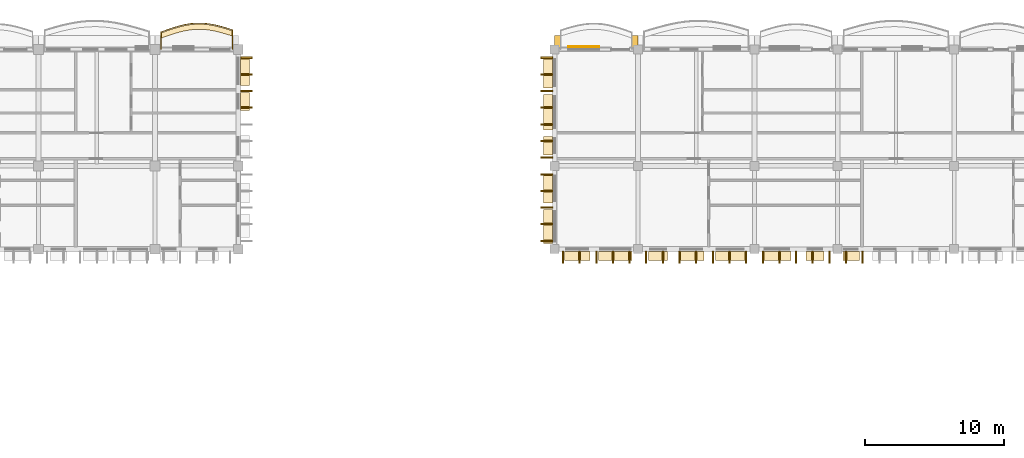
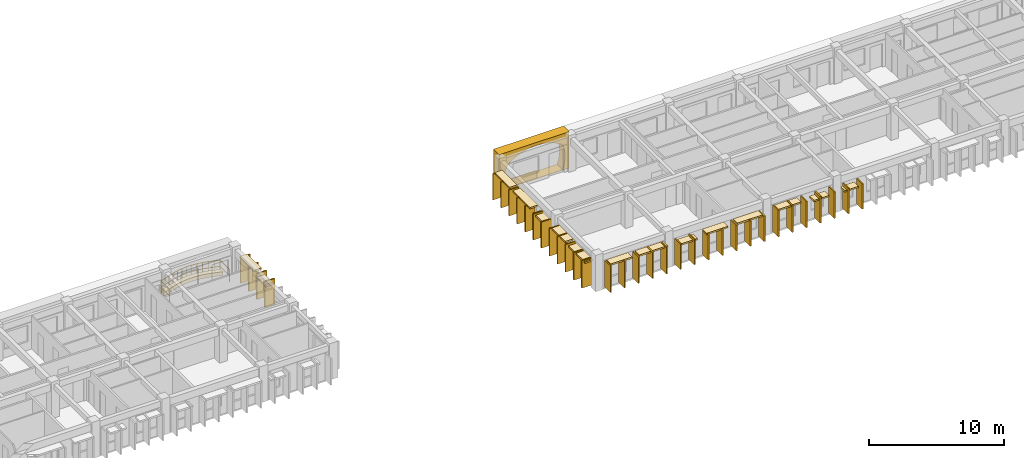
# One storey, part 54 of 70: 53 coverings, 1 railing.
"""IFC4 building model written with IfcOpenShell, lengths in metres."""

import ifcopenshell
import ifcopenshell.guid

model = None  # the IFC model being written
_history = None  # IfcOwnerHistory: only IFC2X3 demands one
_inside = {}  # id of a spatial element -> (the spatial element, [elements in it])
_under = {}  # id of a project, library or spatial element -> (it, [spatial elements below it])
_declared = {}  # id of a project -> (the project, [libraries it declares])
_typed = {}  # id of a type object -> (the type object, [elements of that type])
_made_of = {}  # id of a material, layer set ... -> (it, [elements and type objects made of it])


def new_model(schema):
    """Start an empty IFC model of exactly this schema.

    Asked for "IFC4X3", IfcOpenShell would pick the latest addendum, in which some entities
    have other attributes; the version numbers below select the first issue.
    IFC2X3 requires an IfcOwnerHistory on every rooted entity: one is made here for all.
    """
    global model, _history
    if schema == "IFC4X3":
        model = ifcopenshell.file(schema_version=(4, 3, 0, 0))
    else:
        model = ifcopenshell.file(schema=schema)
    _inside.clear()
    _under.clear()
    _declared.clear()
    _typed.clear()
    _made_of.clear()
    _history = None
    if model.schema == "IFC2X3":
        org = make("IfcOrganization", Name="unknown")
        user = make(
            "IfcPersonAndOrganization",
            ThePerson=make("IfcPerson", FamilyName="unknown"),
            TheOrganization=org,
        )
        app = make(
            "IfcApplication",
            ApplicationDeveloper=org,
            Version="unknown",
            ApplicationFullName="unknown",
            ApplicationIdentifier="unknown",
        )
        _history = make(
            "IfcOwnerHistory",
            OwningUser=user,
            OwningApplication=app,
            ChangeAction="ADDED",
            CreationDate=0,
        )
    return model


def make(cls, **values):
    """One entity of the class cls with the attributes given. An attribute that is None is left unset."""
    return model.create_entity(
        cls, **{name: value for name, value in values.items() if value is not None}
    )


def rooted(cls, **values):
    """An entity with a GlobalId (a new one), such as an element, a storey or a relation."""
    return make(cls, GlobalId=ifcopenshell.guid.new(), OwnerHistory=_history, **values)


def si_unit(unit_type, name, prefix=None):
    """IfcSIUnit, for example si_unit("LENGTHUNIT", "METRE", prefix="MILLI")."""
    return make("IfcSIUnit", UnitType=unit_type, Prefix=prefix, Name=name)


def assignment(units):
    """IfcUnitAssignment: the units of a project."""
    return None if units is None else make("IfcUnitAssignment", Units=units)


def point(xyz):
    """IfcCartesianPoint."""
    return None if xyz is None else make("IfcCartesianPoint", Coordinates=xyz)


def direction(xyz):
    """IfcDirection."""
    return None if xyz is None else make("IfcDirection", DirectionRatios=xyz)


def frame(location, z_axis=None, x_axis=None):
    """IfcAxis2Placement3D, a coordinate frame: its origin and axes. An axis left out is left unset."""
    return make(
        "IfcAxis2Placement3D",
        Location=point(location),
        Axis=direction(z_axis),
        RefDirection=direction(x_axis),
    )


def frame_2d(location, x_axis=None):
    """IfcAxis2Placement2D, a coordinate frame in the plane: its origin and x axis."""
    return make(
        "IfcAxis2Placement2D", Location=point(location), RefDirection=direction(x_axis)
    )


def origin():
    """The frame at (0, 0, 0) with its axes left unset."""
    return frame((0.0, 0.0, 0.0))


def origin_2d():
    """The frame at (0, 0) in the plane with its x axis left unset."""
    return frame_2d((0.0, 0.0))


def place(relative_to, where):
    """IfcLocalPlacement: puts the frame where relative to a parent placement (None: the world)."""
    return make(
        "IfcLocalPlacement", PlacementRelTo=relative_to, RelativePlacement=where
    )


def context(
    kind, dimensions, precision=None, world=None, true_north=None, identifier=None
):
    """IfcGeometricRepresentationContext, for example the 3D "Model" context."""
    return make(
        "IfcGeometricRepresentationContext",
        ContextIdentifier=identifier,
        ContextType=kind,
        CoordinateSpaceDimension=dimensions,
        Precision=precision,
        WorldCoordinateSystem=world,
        TrueNorth=true_north,
    )


def subcontext(parent, identifier, kind, view, scale=None):
    """IfcGeometricRepresentationSubContext, for example "Body" below "Model"."""
    return make(
        "IfcGeometricRepresentationSubContext",
        ContextIdentifier=identifier,
        ContextType=kind,
        ParentContext=parent,
        TargetScale=scale,
        TargetView=view,
    )


def project(units=None, contexts=None):
    """IfcProject with its units and contexts."""
    return rooted(
        "IfcProject",
        Name="project",
        RepresentationContexts=contexts,
        UnitsInContext=assignment(units),
    )


def spatial(cls, under=None, at=None, **own):
    """A site, building, storey or space (cls), placed at a placement, below another one or the project."""
    s = rooted(cls, ObjectPlacement=at, **own)
    if under is not None:
        _under.setdefault(under.id(), (under, []))[1].append(s)
    return s


def polyline(points):
    """IfcPolyline through the points."""
    return make("IfcPolyline", Points=[point(p) for p in points])


def profile(cls, at=None, kind="AREA", **sizes):
    """A parametric profile (cls). Its sizes go by their IFC names, for example OverallWidth=200.0."""
    return make(cls, ProfileType=kind, Position=at, **sizes)


def rectangle(**sizes):
    """IfcRectangleProfileDef."""
    return profile("IfcRectangleProfileDef", **sizes)


def outline(outer, holes=None, kind="AREA"):
    """IfcArbitraryClosedProfileDef: a profile drawn as a closed curve; with holes, ...WithVoids."""
    if holes is None:
        return make("IfcArbitraryClosedProfileDef", ProfileType=kind, OuterCurve=outer)
    return make(
        "IfcArbitraryProfileDefWithVoids",
        ProfileType=kind,
        OuterCurve=outer,
        InnerCurves=holes,
    )


def extrude(swept, where, along, depth):
    """IfcExtrudedAreaSolid: the profile swept, set in the frame where, extruded along a direction by depth."""
    return make(
        "IfcExtrudedAreaSolid",
        SweptArea=swept,
        Position=where,
        ExtrudedDirection=direction(along),
        Depth=depth,
    )


def shape(context_of_items, identifier, shape_type, items):
    """IfcShapeRepresentation: the items that make up one representation, for example the "Body"."""
    return make(
        "IfcShapeRepresentation",
        ContextOfItems=context_of_items,
        RepresentationIdentifier=identifier,
        RepresentationType=shape_type,
        Items=items,
    )


def material(Name=None, Category=None):
    """IfcMaterial."""
    return make("IfcMaterial", Name=Name, Category=Category)


def layer(
    of_material, thickness, ventilated=None, Name=None, Category=None, Priority=None
):
    """IfcMaterialLayer: one layer of a wall or slab, of a material (None: an air gap)."""
    return make(
        "IfcMaterialLayer",
        Material=of_material,
        LayerThickness=thickness,
        IsVentilated=ventilated,
        Name=Name,
        Category=Category,
        Priority=Priority,
    )


def layer_set(layers, Name=None):
    """IfcMaterialLayerSet."""
    return make("IfcMaterialLayerSet", MaterialLayers=layers, LayerSetName=Name)


def made_of(thing, what):
    """Note that an element or type object is made of a material, layer set ...; save() writes the relation."""
    if what is not None:
        _made_of.setdefault(what.id(), (what, []))[1].append(thing)
    return thing


def type_object(cls, material=None, **own):
    """A type object (cls), such as IfcWallType, which elements share."""
    return made_of(rooted(cls, **own), material)


def element(
    cls,
    number,
    at=None,
    inside=None,
    cuts=None,
    type_object=None,
    material=None,
    context=None,
    identifier="Body",
    shape_type=None,
    held_by="IfcProductDefinitionShape",
    body=None,
    shapes=None,
    **own,
):
    """One element of the class cls, such as IfcWall. Its Tag is "e" and its number.

    at: its placement. inside: the storey or other place that contains it. cuts: it is an
    opening in that element (IfcRelVoidsElement). A single representation is given by context,
    identifier, shape_type and body (its items); several are given by shapes. held_by: the class
    of the entity that holds the representations. save() writes the other relations.
    """
    e = rooted(cls, Tag="e%d" % number, ObjectPlacement=at, **own)
    if body is not None:
        shapes = [shape(context, identifier, shape_type, body)]
    if shapes is not None:
        e.Representation = make(held_by, Representations=shapes)
    if inside is not None:
        _inside.setdefault(inside.id(), (inside, []))[1].append(e)
    if cuts is not None:
        rooted(
            "IfcRelVoidsElement", RelatingBuildingElement=cuts, RelatedOpeningElement=e
        )
    if type_object is not None:
        _typed.setdefault(type_object.id(), (type_object, []))[1].append(e)
    return made_of(e, material)


def aggregate(whole, parts):
    """IfcRelAggregates: a whole, such as a stair, and the parts it consists of."""
    return rooted("IfcRelAggregates", RelatingObject=whole, RelatedObjects=parts)


def save(model, path):
    """Write the relations noted so far, then the file.

    IfcRelAggregates (storeys below a building ...), IfcRelContainedInSpatialStructure (elements
    in a storey), IfcRelDefinesByType, IfcRelAssociatesMaterial and IfcRelDeclares: one each for
    every whole, place, type object, material and project.
    """
    for whole, parts in _under.values():
        aggregate(whole, parts)
    for where, things in _inside.values():
        rooted(
            "IfcRelContainedInSpatialStructure",
            RelatedElements=things,
            RelatingStructure=where,
        )
    for kind, things in _typed.values():
        rooted("IfcRelDefinesByType", RelatedObjects=things, RelatingType=kind)
    for what, things in _made_of.values():
        rooted("IfcRelAssociatesMaterial", RelatedObjects=things, RelatingMaterial=what)
    for by, libraries in _declared.values():
        rooted("IfcRelDeclares", RelatingContext=by, RelatedDefinitions=libraries)
    model.write(path)


model = new_model("IFC4")

# Units and contexts
model_context = context("Model", 3, precision=1e-05, world=origin(), true_north=direction((0.0, 1.0)))
body_context = subcontext(model_context, "Body", "Model", "MODEL_VIEW")
ifc_project = project(units=[si_unit("LENGTHUNIT", "METRE"), si_unit("AREAUNIT", "SQUARE_METRE"), si_unit("VOLUMEUNIT", "CUBIC_METRE"), si_unit("PLANEANGLEUNIT", "RADIAN"), si_unit("MASSUNIT", "GRAM", prefix="KILO"), si_unit("THERMODYNAMICTEMPERATUREUNIT", "KELVIN")], contexts=[model_context])

# Site, building, storey
site_placement = place(None, origin())
site = spatial("IfcSite", under=ifc_project, at=site_placement, CompositionType="ELEMENT")
building_placement = place(site_placement, origin())
building = spatial("IfcBuilding", under=site, at=building_placement, Name="Thalorik Housing Commons", CompositionType="ELEMENT")
storey_placement = place(building_placement, frame((0.0, 0.0, 14.699951171875)))
storey = spatial("IfcBuildingStorey", under=building, at=storey_placement, Name="L04", CompositionType="ELEMENT", Elevation=14.699951171875)

# Coverings
ifc_material_1 = material(Name="Cobalt blue glazed ceramic facade tile panel", Category="masonry")
ifc_layer_1 = layer(ifc_material_1, 0.06005859375, Name="Cobalt blue glazed ceramic facade tile panel", Category="masonry")
ifc_layer_set_1 = layer_set([ifc_layer_1], Name="Cobalt blue glazed ceramic facade tile panel")
covering_type_1 = type_object("IfcCoveringType", Name="ARC-CLD-BLU-60", PredefinedType="CLADDING", material=ifc_layer_set_1)
covering_1_placement = place(storey_placement, frame((82.510009765625, 123.78759765625, 0.05029296875), z_axis=(0.0, 0.0, 1.0), x_axis=(-1.0, 0.0, 0.0)))
element("IfcCovering", 1, at=covering_1_placement, inside=storey, type_object=covering_type_1, Name="L04 De Stijl Recessed Window Spandrel 2033", PredefinedType="CLADDING", context=body_context, shape_type="SweptSolid", body=[
    extrude(rectangle(XDim=2.239990234375, YDim=0.06005859375, at=origin_2d()), origin(), (0.0, 0.0, 1.0), 0.699951171875),
])
ifc_material_2 = material(Name="Precast concrete C40/50", Category="concrete")
ifc_layer_2 = layer(ifc_material_2, 0.85009765625, Name="Precast concrete C40/50", Category="concrete")
ifc_layer_set_2 = layer_set([ifc_layer_2], Name="Precast concrete C40/50")
covering_type_2 = type_object("IfcCoveringType", Name="ARC-CLD-CUSH-850", PredefinedType="CLADDING", material=ifc_layer_set_2)
covering_2_placement = place(storey_placement, frame((83.39990234375, 124.177490234375, 0.0), z_axis=(0.0, 0.0, 1.0), x_axis=(-1.0, 0.0, 0.0)))
element("IfcCovering", 2, at=covering_2_placement, inside=storey, type_object=covering_type_2, Name="L04 White Precast Curved Cushion Bay Frame 2032", PredefinedType="CLADDING", context=body_context, shape_type="SweptSolid", body=[
    extrude(outline(polyline([(-3.0, 0.0), (3.0, 0.0), (3.0, 3.300048828125), (-3.0, 3.300048828125), (-3.0, 0.0)]), holes=[polyline([(2.06005859375, 0.02490234375), (2.332275390625, 0.410888671875), (2.49560546875, 0.796630859375), (2.550048828125, 1.1826171875), (2.49560546875, 1.568359375), (2.332275390625, 1.9541015625), (2.06005859375, 2.340087890625), (1.685791015625, 2.552978515625), (1.311767578125, 2.720458984375), (0.9375, 2.85595703125), (0.563232421875, 2.956787109375), (0.189208984375, 3.01904296875), (-0.18505859375, 3.0400390625), (-0.55908203125, 3.01904296875), (-0.933349609375, 2.956787109375), (-1.3076171875, 2.85595703125), (-1.681640625, 2.720458984375), (-2.055908203125, 2.552978515625), (-2.429931640625, 2.340087890625), (-2.55029296875, 1.9541015625), (-2.62255859375, 1.568359375), (-2.646484375, 1.1826171875), (-2.62255859375, 0.796630859375), (-2.55029296875, 0.410888671875), (-2.429931640625, 0.02490234375), (2.06005859375, 0.02490234375)])]), frame((0.0, 0.425048828125, 0.0), z_axis=(0.0, -1.0, 0.0), x_axis=(1.0, 0.0, 0.0)), (0.0, 0.0, 1.0), 0.85009765625),
])
ifc_layer_3 = layer(ifc_material_2, 0.85009765625, Name="Precast concrete C40/50", Category="concrete")
ifc_layer_set_3 = layer_set([ifc_layer_3], Name="Precast concrete C40/50")
covering_type_3 = type_object("IfcCoveringType", Name="ARC-CLD-FIN-850", PredefinedType="CLADDING", material=ifc_layer_set_3)
for number, where, z_axis, x_axis, name in (
    (3, (58.18505859375, 119.39990234375, 0.0400390625), (0.0, 0.0, 1.0), (0.0, 1.0, 0.0), "L04 Courtyard Precast Vertical Brise-Soleil Fin 421"),
    (4, (58.18505859375, 120.60009765625, 0.0400390625), (0.0, 0.0, 1.0), (0.0, 1.0, 0.0), "L04 Courtyard Precast Vertical Brise-Soleil Fin 422"),
    (5, (58.18505859375, 121.800048828125, 0.0400390625), (0.0, 0.0, 1.0), (0.0, 1.0, 0.0), "L04 Courtyard Precast Vertical Brise-Soleil Fin 423"),
    (6, (58.18505859375, 123.0, 0.0400390625), (0.0, 0.0, 1.0), (0.0, 1.0, 0.0), "L04 Courtyard Precast Vertical Brise-Soleil Fin 424"),
    (7, (79.822509765625, 123.0, 0.0400390625), (0.0, 0.0, 1.0), (0.0, -1.0, 0.0), "L04 Courtyard Precast Vertical Brise-Soleil Fin 2034"),
    (8, (79.822509765625, 121.800048828125, 0.0400390625), (0.0, 0.0, 1.0), (0.0, -1.0, 0.0), "L04 Courtyard Precast Vertical Brise-Soleil Fin 2035"),
    (9, (79.822509765625, 120.60009765625, 0.0400390625), (0.0, 0.0, 1.0), (0.0, -1.0, 0.0), "L04 Courtyard Precast Vertical Brise-Soleil Fin 2036"),
    (10, (79.822509765625, 119.39990234375, 0.0400390625), (0.0, 0.0, 1.0), (0.0, -1.0, 0.0), "L04 Courtyard Precast Vertical Brise-Soleil Fin 2037"),
    (11, (79.822509765625, 118.199951171875, 0.0400390625), (0.0, 0.0, 1.0), (0.0, -1.0, 0.0), "L04 Courtyard Precast Vertical Brise-Soleil Fin 2038"),
    (12, (79.822509765625, 117.0, 0.0400390625), (0.0, 0.0, 1.0), (0.0, -1.0, 0.0), "L04 Courtyard Precast Vertical Brise-Soleil Fin 2039"),
    (13, (79.822509765625, 115.800048828125, 0.0400390625), (0.0, 0.0, 1.0), (0.0, -1.0, 0.0), "L04 Courtyard Precast Vertical Brise-Soleil Fin 2040"),
):
    element("IfcCovering", number, at=place(storey_placement, frame(where, z_axis=z_axis, x_axis=x_axis)), inside=storey, type_object=covering_type_3, Name=name, PredefinedType="CLADDING", context=body_context, shape_type="SweptSolid", body=[
        extrude(rectangle(XDim=0.110107421875, YDim=0.85009765625, at=origin_2d()), origin(), (0.0, 0.0, 1.0), 2.344970703125),
    ])
for number, where, z_axis, x_axis, name in (
    (14, (79.822509765625, 114.60009765625, 0.0400390625), (0.0, 0.0, 1.0), (0.0, -1.0, 0.0), "L04 Courtyard Precast Vertical Brise-Soleil Fin 2044"),
    (15, (79.822509765625, 113.39990234375, 0.0400390625), (0.0, 0.0, 1.0), (0.0, -1.0, 0.0), "L04 Courtyard Precast Vertical Brise-Soleil Fin 2045"),
    (16, (79.822509765625, 112.199951171875, 0.0400390625), (0.0, 0.0, 1.0), (0.0, -1.0, 0.0), "L04 Courtyard Precast Vertical Brise-Soleil Fin 2046"),
    (17, (79.822509765625, 111.0, 0.0400390625), (0.0, 0.0, 1.0), (0.0, -1.0, 0.0), "L04 Courtyard Precast Vertical Brise-Soleil Fin 2047"),
    (18, (79.822509765625, 109.800048828125, 0.0400390625), (0.0, 0.0, 1.0), (0.0, -1.0, 0.0), "L04 Courtyard Precast Vertical Brise-Soleil Fin 2048"),
):
    element("IfcCovering", number, at=place(storey_placement, frame(where, z_axis=z_axis, x_axis=x_axis)), inside=storey, type_object=covering_type_3, Name=name, PredefinedType="CLADDING", context=body_context, shape_type="SweptSolid", body=[
        extrude(rectangle(XDim=0.110107421875, YDim=0.85009765625, at=origin_2d()), origin(), (0.0, 0.0, 1.0), 2.4951171875),
    ])
for number, where, z_axis, x_axis, name in (
    (19, (81.0, 108.62255859375, 0.0400390625), (0.0, 0.0, 1.0), (1.0, 0.0, 0.0), "L04 Courtyard Precast Vertical Brise-Soleil Fin 2051"),
    (20, (82.199951171875, 108.62255859375, 0.0400390625), (0.0, 0.0, 1.0), (1.0, 0.0, 0.0), "L04 Courtyard Precast Vertical Brise-Soleil Fin 2052"),
    (21, (83.39990234375, 108.62255859375, 0.0400390625), (0.0, 0.0, 1.0), (1.0, 0.0, 0.0), "L04 Courtyard Precast Vertical Brise-Soleil Fin 2053"),
    (22, (84.60009765625, 108.62255859375, 0.0400390625), (0.0, 0.0, 1.0), (1.0, 0.0, 0.0), "L04 Courtyard Precast Vertical Brise-Soleil Fin 2054"),
    (23, (85.800048828125, 108.62255859375, 0.0400390625), (0.0, 0.0, 1.0), (1.0, 0.0, 0.0), "L04 Courtyard Precast Vertical Brise-Soleil Fin 2055"),
):
    element("IfcCovering", number, at=place(storey_placement, frame(where, z_axis=z_axis, x_axis=x_axis)), inside=storey, type_object=covering_type_3, Name=name, PredefinedType="CLADDING", context=body_context, shape_type="SweptSolid", body=[
        extrude(rectangle(XDim=0.110107421875, YDim=0.85009765625, at=origin_2d()), origin(), (0.0, 0.0, 1.0), 2.39501953125),
    ])
for number, where, z_axis, x_axis, name in (
    (24, (87.0, 108.62255859375, 0.0400390625), (0.0, 0.0, 1.0), (1.0, 0.0, 0.0), "L04 Courtyard Precast Vertical Brise-Soleil Fin 2058"),
    (25, (88.199951171875, 108.62255859375, 0.0400390625), (0.0, 0.0, 1.0), (1.0, 0.0, 0.0), "L04 Courtyard Precast Vertical Brise-Soleil Fin 2059"),
    (26, (89.39990234375, 108.62255859375, 0.0400390625), (0.0, 0.0, 1.0), (1.0, 0.0, 0.0), "L04 Courtyard Precast Vertical Brise-Soleil Fin 2060"),
    (27, (90.60009765625, 108.62255859375, 0.0400390625), (0.0, 0.0, 1.0), (1.0, 0.0, 0.0), "L04 Courtyard Precast Vertical Brise-Soleil Fin 2061"),
    (28, (91.800048828125, 108.62255859375, 0.0400390625), (0.0, 0.0, 1.0), (1.0, 0.0, 0.0), "L04 Courtyard Precast Vertical Brise-Soleil Fin 2062"),
    (29, (93.0, 108.62255859375, 0.0400390625), (0.0, 0.0, 1.0), (1.0, 0.0, 0.0), "L04 Courtyard Precast Vertical Brise-Soleil Fin 2063"),
    (30, (94.199951171875, 108.62255859375, 0.0400390625), (0.0, 0.0, 1.0), (1.0, 0.0, 0.0), "L04 Courtyard Precast Vertical Brise-Soleil Fin 2064"),
):
    element("IfcCovering", number, at=place(storey_placement, frame(where, z_axis=z_axis, x_axis=x_axis)), inside=storey, type_object=covering_type_3, Name=name, PredefinedType="CLADDING", context=body_context, shape_type="SweptSolid", body=[
        extrude(rectangle(XDim=0.110107421875, YDim=0.85009765625, at=origin_2d()), origin(), (0.0, 0.0, 1.0), 2.294921875),
    ])
for number, where, z_axis, x_axis, name in (
    (31, (95.39990234375, 108.62255859375, 0.0400390625), (0.0, 0.0, 1.0), (1.0, 0.0, 0.0), "L04 Courtyard Precast Vertical Brise-Soleil Fin 2068"),
    (32, (96.60009765625, 108.62255859375, 0.0400390625), (0.0, 0.0, 1.0), (1.0, 0.0, 0.0), "L04 Courtyard Precast Vertical Brise-Soleil Fin 2069"),
    (33, (97.800048828125, 108.62255859375, 0.0400390625), (0.0, 0.0, 1.0), (1.0, 0.0, 0.0), "L04 Courtyard Precast Vertical Brise-Soleil Fin 2070"),
    (34, (99.0, 108.62255859375, 0.0400390625), (0.0, 0.0, 1.0), (1.0, 0.0, 0.0), "L04 Courtyard Precast Vertical Brise-Soleil Fin 2071"),
    (35, (100.199951171875, 108.62255859375, 0.0400390625), (0.0, 0.0, 1.0), (1.0, 0.0, 0.0), "L04 Courtyard Precast Vertical Brise-Soleil Fin 2072"),
):
    element("IfcCovering", number, at=place(storey_placement, frame(where, z_axis=z_axis, x_axis=x_axis)), inside=storey, type_object=covering_type_3, Name=name, PredefinedType="CLADDING", context=body_context, shape_type="SweptSolid", body=[
        extrude(rectangle(XDim=0.110107421875, YDim=0.85009765625, at=origin_2d()), origin(), (0.0, 0.0, 1.0), 2.39501953125),
    ])
for number, where, z_axis, x_axis, name in (
    (36, (101.39990234375, 108.62255859375, 0.0400390625), (0.0, 0.0, 1.0), (1.0, 0.0, 0.0), "L04 Courtyard Precast Vertical Brise-Soleil Fin 2075"),
    (37, (102.60009765625, 108.62255859375, 0.0400390625), (0.0, 0.0, 1.0), (1.0, 0.0, 0.0), "L04 Courtyard Precast Vertical Brise-Soleil Fin 2076"),
):
    element("IfcCovering", number, at=place(storey_placement, frame(where, z_axis=z_axis, x_axis=x_axis)), inside=storey, type_object=covering_type_3, Name=name, PredefinedType="CLADDING", context=body_context, shape_type="SweptSolid", body=[
        extrude(rectangle(XDim=0.110107421875, YDim=0.85009765625, at=origin_2d()), origin(), (0.0, 0.0, 1.0), 2.294921875),
    ])
ifc_layer_4 = layer(ifc_material_2, 0.64990234375, Name="Precast concrete C40/50", Category="concrete")
ifc_layer_set_4 = layer_set([ifc_layer_4], Name="Precast concrete C40/50")
covering_type_4 = type_object("IfcCoveringType", Name="ARC-CLD-HOOD-650", PredefinedType="CLADDING", material=ifc_layer_set_4)
covering_3_placement = place(storey_placement, frame((58.0849609375, 119.8447265625, 1.990234375), z_axis=(0.0, 0.0, 1.0), x_axis=(0.0, 1.0, 0.0)))
element("IfcCovering", 38, at=covering_3_placement, inside=storey, type_object=covering_type_4, Name="L04 Courtyard Precast Window Sun-Hood 426", PredefinedType="CLADDING", context=body_context, shape_type="SweptSolid", body=[
    extrude(rectangle(XDim=1.2900390625, YDim=0.64990234375, at=origin_2d()), origin(), (0.0, 0.0, 1.0), 0.139892578125),
])
covering_4_placement = place(storey_placement, frame((58.0849609375, 122.044677734375, 2.27490234375), z_axis=(0.0, 0.0, 1.0), x_axis=(0.0, 1.0, 0.0)))
element("IfcCovering", 39, at=covering_4_placement, inside=storey, type_object=covering_type_4, Name="L04 Courtyard Precast Window Sun-Hood 427", PredefinedType="CLADDING", context=body_context, shape_type="SweptSolid", body=[
    extrude(rectangle(XDim=2.1201171875, YDim=0.64990234375, at=origin_2d()), origin(), (0.0, 0.0, 1.0), 0.139892578125),
])
covering_5_placement = place(storey_placement, frame((79.922607421875, 121.91748046875, 2.27490234375), z_axis=(0.0, 0.0, 1.0), x_axis=(0.0, -1.0, 0.0)))
element("IfcCovering", 40, at=covering_5_placement, inside=storey, type_object=covering_type_4, Name="L04 Courtyard Precast Window Sun-Hood 2041", PredefinedType="CLADDING", context=body_context, shape_type="SweptSolid", body=[
    extrude(rectangle(XDim=2.219970703125, YDim=0.64990234375, at=origin_2d()), origin(), (0.0, 0.0, 1.0), 0.139892578125),
])
covering_6_placement = place(storey_placement, frame((79.922607421875, 119.072509765625, 2.27490234375), z_axis=(0.0, 0.0, 1.0), x_axis=(0.0, -1.0, 0.0)))
element("IfcCovering", 41, at=covering_6_placement, inside=storey, type_object=covering_type_4, Name="L04 Courtyard Precast Window Sun-Hood 2042", PredefinedType="CLADDING", context=body_context, shape_type="SweptSolid", body=[
    extrude(rectangle(XDim=2.56005859375, YDim=0.64990234375, at=origin_2d()), origin(), (0.0, 0.0, 1.0), 0.139892578125),
])
covering_7_placement = place(storey_placement, frame((79.922607421875, 116.64990234375, 2.09033203125), z_axis=(0.0, 0.0, 1.0), x_axis=(0.0, -1.0, 0.0)))
element("IfcCovering", 42, at=covering_7_placement, inside=storey, type_object=covering_type_4, Name="L04 Courtyard Precast Window Sun-Hood 2043", PredefinedType="CLADDING", context=body_context, shape_type="SweptSolid", body=[
    extrude(rectangle(XDim=1.340087890625, YDim=0.64990234375, at=origin_2d()), origin(), (0.0, 0.0, 1.0), 0.139892578125),
])
covering_8_placement = place(storey_placement, frame((79.922607421875, 113.570068359375, 2.39013671875), z_axis=(0.0, 0.0, 1.0), x_axis=(0.0, -1.0, 0.0)))
element("IfcCovering", 43, at=covering_8_placement, inside=storey, type_object=covering_type_4, Name="L04 Courtyard Precast Window Sun-Hood 2049", PredefinedType="CLADDING", context=body_context, shape_type="SweptSolid", body=[
    extrude(rectangle(XDim=2.090087890625, YDim=0.64990234375, at=origin_2d()), origin(), (0.0, 0.0, 1.0), 0.139892578125),
])
covering_9_placement = place(storey_placement, frame((79.922607421875, 110.830078125, 2.2900390625), z_axis=(0.0, 0.0, 1.0), x_axis=(0.0, -1.0, 0.0)))
element("IfcCovering", 44, at=covering_9_placement, inside=storey, type_object=covering_type_4, Name="L04 Courtyard Precast Window Sun-Hood 2050", PredefinedType="CLADDING", context=body_context, shape_type="SweptSolid", body=[
    extrude(rectangle(XDim=2.43994140625, YDim=0.64990234375, at=origin_2d()), origin(), (0.0, 0.0, 1.0), 0.139892578125),
])
covering_10_placement = place(storey_placement, frame((82.030029296875, 108.722412109375, 2.3251953125), z_axis=(0.0, 0.0, 1.0), x_axis=(1.0, 0.0, 0.0)))
element("IfcCovering", 45, at=covering_10_placement, inside=storey, type_object=covering_type_4, Name="L04 Courtyard Precast Window Sun-Hood 2056", PredefinedType="CLADDING", context=body_context, shape_type="SweptSolid", body=[
    extrude(rectangle(XDim=1.840087890625, YDim=0.64990234375, at=origin_2d()), origin(), (0.0, 0.0, 1.0), 0.139892578125),
])
covering_11_placement = place(storey_placement, frame((84.77001953125, 108.722412109375, 2.2900390625), z_axis=(0.0, 0.0, 1.0), x_axis=(1.0, 0.0, 0.0)))
element("IfcCovering", 46, at=covering_11_placement, inside=storey, type_object=covering_type_4, Name="L04 Courtyard Precast Window Sun-Hood 2057", PredefinedType="CLADDING", context=body_context, shape_type="SweptSolid", body=[
    extrude(rectangle(XDim=2.43994140625, YDim=0.64990234375, at=origin_2d()), origin(), (0.0, 0.0, 1.0), 0.139892578125),
])
covering_12_placement = place(storey_placement, frame((87.8525390625, 108.722412109375, 2.0400390625), z_axis=(0.0, 0.0, 1.0), x_axis=(1.0, 0.0, 0.0)))
element("IfcCovering", 47, at=covering_12_placement, inside=storey, type_object=covering_type_4, Name="L04 Courtyard Precast Window Sun-Hood 2065", PredefinedType="CLADDING", context=body_context, shape_type="SweptSolid", body=[
    extrude(rectangle(XDim=1.389892578125, YDim=0.64990234375, at=origin_2d()), origin(), (0.0, 0.0, 1.0), 0.139892578125),
])
covering_13_placement = place(storey_placement, frame((90.237548828125, 108.722412109375, 2.22509765625), z_axis=(0.0, 0.0, 1.0), x_axis=(1.0, 0.0, 0.0)))
element("IfcCovering", 48, at=covering_13_placement, inside=storey, type_object=covering_type_4, Name="L04 Courtyard Precast Window Sun-Hood 2066", PredefinedType="CLADDING", context=body_context, shape_type="SweptSolid", body=[
    extrude(rectangle(XDim=1.820068359375, YDim=0.64990234375, at=origin_2d()), origin(), (0.0, 0.0, 1.0), 0.139892578125),
])
covering_14_placement = place(storey_placement, frame((93.054931640625, 108.722412109375, 2.22509765625), z_axis=(0.0, 0.0, 1.0), x_axis=(1.0, 0.0, 0.0)))
element("IfcCovering", 49, at=covering_14_placement, inside=storey, type_object=covering_type_4, Name="L04 Courtyard Precast Window Sun-Hood 2067", PredefinedType="CLADDING", context=body_context, shape_type="SweptSolid", body=[
    extrude(rectangle(XDim=2.159912109375, YDim=0.64990234375, at=origin_2d()), origin(), (0.0, 0.0, 1.0), 0.139892578125),
])
covering_15_placement = place(storey_placement, frame((96.429931640625, 108.722412109375, 2.240234375), z_axis=(0.0, 0.0, 1.0), x_axis=(1.0, 0.0, 0.0)))
element("IfcCovering", 50, at=covering_15_placement, inside=storey, type_object=covering_type_4, Name="L04 Courtyard Precast Window Sun-Hood 2073", PredefinedType="CLADDING", context=body_context, shape_type="SweptSolid", body=[
    extrude(rectangle(XDim=1.989990234375, YDim=0.64990234375, at=origin_2d()), origin(), (0.0, 0.0, 1.0), 0.139892578125),
])
covering_16_placement = place(storey_placement, frame((99.169921875, 108.722412109375, 1.990234375), z_axis=(0.0, 0.0, 1.0), x_axis=(1.0, 0.0, 0.0)))
element("IfcCovering", 51, at=covering_16_placement, inside=storey, type_object=covering_type_4, Name="L04 Courtyard Precast Window Sun-Hood 2074", PredefinedType="CLADDING", context=body_context, shape_type="SweptSolid", body=[
    extrude(rectangle(XDim=1.2900390625, YDim=0.64990234375, at=origin_2d()), origin(), (0.0, 0.0, 1.0), 0.139892578125),
])
covering_17_placement = place(storey_placement, frame((101.764892578125, 108.722412109375, 1.93994140625), z_axis=(0.0, 0.0, 1.0), x_axis=(1.0, 0.0, 0.0)))
element("IfcCovering", 52, at=covering_17_placement, inside=storey, type_object=covering_type_4, Name="L04 Courtyard Precast Window Sun-Hood 2082", PredefinedType="CLADDING", context=body_context, shape_type="SweptSolid", body=[
    extrude(rectangle(XDim=1.18994140625, YDim=0.64990234375, at=origin_2d()), origin(), (0.0, 0.0, 1.0), 0.139892578125),
])
ifc_material_3 = material(Name="Planted vegetated substrate and terracotta trough", Category="masonry")
ifc_layer_5 = layer(ifc_material_3, 0.340087890625, Name="Planted vegetated substrate and terracotta trough", Category="masonry")
ifc_layer_set_5 = layer_set([ifc_layer_5], Name="Planted vegetated substrate and terracotta trough")
covering_type_5 = type_object("IfcCoveringType", Name="ARC-COV-PLANTER", PredefinedType="USERDEFINED", material=ifc_layer_set_5)
covering_18_placement = place(storey_placement, origin())
element("IfcCovering", 53, at=covering_18_placement, inside=storey, type_object=covering_type_5, Name="L04 Balcony Slab-Edge Planted Trough 5341", ObjectType="PLANTER", PredefinedType="USERDEFINED", context=body_context, shape_type="SweptSolid", body=[
    extrude(outline(polyline([(57.179931640625, 124.938720703125), (56.75, 125.075439453125), (56.320068359375, 125.20068359375), (55.889892578125, 125.305419921875), (55.4599609375, 125.381591796875), (55.030029296875, 125.423095703125), (54.60009765625, 125.427001953125), (54.169921875, 125.391845703125), (53.739990234375, 125.31982421875), (53.31005859375, 125.2158203125), (52.8798828125, 125.086181640625), (52.449951171875, 124.939697265625), (52.02001953125, 124.786865234375), (52.02001953125, 124.40673828125), (52.449951171875, 124.559814453125), (52.8798828125, 124.7060546875), (53.31005859375, 124.835693359375), (53.739990234375, 124.93994140625), (54.169921875, 125.01171875), (54.60009765625, 125.046875), (55.030029296875, 125.043212890625), (55.4599609375, 125.001708984375), (55.889892578125, 124.925537109375), (56.320068359375, 124.82080078125), (56.75, 124.695556640625), (57.179931640625, 124.55859375), (57.179931640625, 124.938720703125)])), origin(), (0.0, 0.0, 1.0), 0.340087890625),
])

# Railing
ifc_material_4 = material(Name="Steel S355", Category="steel")
railing_type = type_object("IfcRailingType", Name="ARC-RL-BAL-115", PredefinedType="BALUSTRADE", material=ifc_material_4)
railing_placement = place(storey_placement, frame((57.179931640625, 123.60009765625, 0.0)))
element("IfcRailing", 54, at=railing_placement, inside=storey, type_object=railing_type, Name="L04 Cushion Balcony Guardrail 25", PredefinedType="BALUSTRADE", context=body_context, shape_type="SweptSolid", body=[
    extrude(rectangle(XDim=0.050048828125, YDim=0.050048828125, at=origin_2d()), frame((0.0, 0.0, 1.125), z_axis=(0.0, 1.0, 0.0), x_axis=(-1.0, 0.0, 0.0)), (0.0, 0.0, 1.0), 1.40869140625),
    extrude(rectangle(XDim=0.050048828125, YDim=0.050048828125, at=origin_2d()), frame((0.0, 0.0, 0.5498046875), z_axis=(0.0, 1.0, 0.0), x_axis=(-1.0, 0.0, 0.0)), (0.0, 0.0, 1.0), 1.40869140625),
    extrude(rectangle(XDim=0.050048828125, YDim=0.050048828125, at=origin_2d()), frame((0.0, 1.40869140625, 1.125), z_axis=(-0.952975516976, 0.30304729671, 0.0), x_axis=(-0.30304729671, -0.952975516976, 0.0)), (0.0, 0.0, 1.0), 0.451171875),
    extrude(rectangle(XDim=0.050048828125, YDim=0.050048828125, at=origin_2d()), frame((0.0, 1.40869140625, 0.5498046875), z_axis=(-0.952975516976, 0.30304729671, 0.0), x_axis=(-0.30304729671, -0.952975516976, 0.0)), (0.0, 0.0, 1.0), 0.451171875),
    extrude(rectangle(XDim=0.050048828125, YDim=0.050048828125, at=origin_2d()), frame((-0.429931640625, 1.54541015625, 1.125), z_axis=(-0.960091541697, 0.27968595167, 0.0), x_axis=(-0.27968595167, -0.960091541697, 0.0)), (0.0, 0.0, 1.0), 0.44775390625),
    extrude(rectangle(XDim=0.050048828125, YDim=0.050048828125, at=origin_2d()), frame((-0.429931640625, 1.54541015625, 0.5498046875), z_axis=(-0.960091541697, 0.27968595167, 0.0), x_axis=(-0.27968595167, -0.960091541697, 0.0)), (0.0, 0.0, 1.0), 0.44775390625),
    extrude(rectangle(XDim=0.050048828125, YDim=0.050048828125, at=origin_2d()), frame((-0.85986328125, 1.670654296875, 1.125), z_axis=(-0.971616240385, 0.236562637415, 0.0), x_axis=(-0.236562637415, -0.971616240385, 0.0)), (0.0, 0.0, 1.0), 0.442626953125),
    extrude(rectangle(XDim=0.050048828125, YDim=0.050048828125, at=origin_2d()), frame((-0.85986328125, 1.670654296875, 0.5498046875), z_axis=(-0.971616240385, 0.236562637415, 0.0), x_axis=(-0.236562637415, -0.971616240385, 0.0)), (0.0, 0.0, 1.0), 0.442626953125),
    extrude(rectangle(XDim=0.050048828125, YDim=0.050048828125, at=origin_2d()), frame((-1.2900390625, 1.775390625, 1.125), z_axis=(-0.984665121198, 0.174455149241, 0.0), x_axis=(-0.174455149241, -0.984665121198, 0.0)), (0.0, 0.0, 1.0), 0.4365234375),
    extrude(rectangle(XDim=0.050048828125, YDim=0.050048828125, at=origin_2d()), frame((-1.2900390625, 1.775390625, 0.5498046875), z_axis=(-0.984665121198, 0.174455149241, 0.0), x_axis=(-0.174455149241, -0.984665121198, 0.0)), (0.0, 0.0, 1.0), 0.4365234375),
    extrude(rectangle(XDim=0.050048828125, YDim=0.050048828125, at=origin_2d()), frame((-1.719970703125, 1.8515625, 1.125), z_axis=(-0.995372711657, 0.096089358877, 0.0), x_axis=(-0.096089358877, -0.995372711657, 0.0)), (0.0, 0.0, 1.0), 0.431884765625),
    extrude(rectangle(XDim=0.050048828125, YDim=0.050048828125, at=origin_2d()), frame((-1.719970703125, 1.8515625, 0.5498046875), z_axis=(-0.995372711657, 0.096089358877, 0.0), x_axis=(-0.096089358877, -0.995372711657, 0.0)), (0.0, 0.0, 1.0), 0.431884765625),
    extrude(rectangle(XDim=0.050048828125, YDim=0.050048828125, at=origin_2d()), frame((-2.14990234375, 1.89306640625, 1.125), z_axis=(-0.99996372477, 0.008517578576, 0.0), x_axis=(-0.008517578576, -0.99996372477, 0.0)), (0.0, 0.0, 1.0), 0.429931640625),
    extrude(rectangle(XDim=0.050048828125, YDim=0.050048828125, at=origin_2d()), frame((-2.14990234375, 1.89306640625, 0.5498046875), z_axis=(-0.99996372477, 0.008517578576, 0.0), x_axis=(-0.008517578576, -0.99996372477, 0.0)), (0.0, 0.0, 1.0), 0.429931640625),
    extrude(rectangle(XDim=0.050048828125, YDim=0.050048828125, at=origin_2d()), frame((-2.579833984375, 1.896728515625, 1.125), z_axis=(-0.996722887634, -0.080891812107, 0.0), x_axis=(0.080891812107, -0.996722887634, 0.0)), (0.0, 0.0, 1.0), 0.431640625),
    extrude(rectangle(XDim=0.050048828125, YDim=0.050048828125, at=origin_2d()), frame((-2.579833984375, 1.896728515625, 0.5498046875), z_axis=(-0.996722887634, -0.080891812107, 0.0), x_axis=(0.080891812107, -0.996722887634, 0.0)), (0.0, 0.0, 1.0), 0.431640625),
    extrude(rectangle(XDim=0.050048828125, YDim=0.050048828125, at=origin_2d()), frame((-3.010009765625, 1.86181640625, 1.125), z_axis=(-0.986257355507, -0.165216308844, 0.0), x_axis=(0.165216308844, -0.986257355507, 0.0)), (0.0, 0.0, 1.0), 0.43603515625),
    extrude(rectangle(XDim=0.050048828125, YDim=0.050048828125, at=origin_2d()), frame((-3.010009765625, 1.86181640625, 0.5498046875), z_axis=(-0.986257355507, -0.165216308844, 0.0), x_axis=(0.165216308844, -0.986257355507, 0.0)), (0.0, 0.0, 1.0), 0.43603515625),
    extrude(rectangle(XDim=0.050048828125, YDim=0.050048828125, at=origin_2d()), frame((-3.43994140625, 1.789794921875, 1.125), z_axis=(-0.971838617266, -0.235647410319, 0.0), x_axis=(0.235647410319, -0.971838617266, 0.0)), (0.0, 0.0, 1.0), 0.4423828125),
    extrude(rectangle(XDim=0.050048828125, YDim=0.050048828125, at=origin_2d()), frame((-3.43994140625, 1.789794921875, 0.5498046875), z_axis=(-0.971838617266, -0.235647410319, 0.0), x_axis=(0.235647410319, -0.971838617266, 0.0)), (0.0, 0.0, 1.0), 0.4423828125),
    extrude(rectangle(XDim=0.050048828125, YDim=0.050048828125, at=origin_2d()), frame((-3.869873046875, 1.685546875, 1.125), z_axis=(-0.957466596389, -0.288544133191, 0.0), x_axis=(0.288544133191, -0.957466596389, 0.0)), (0.0, 0.0, 1.0), 0.44921875),
    extrude(rectangle(XDim=0.050048828125, YDim=0.050048828125, at=origin_2d()), frame((-3.869873046875, 1.685546875, 0.5498046875), z_axis=(-0.957466596389, -0.288544133191, 0.0), x_axis=(0.288544133191, -0.957466596389, 0.0)), (0.0, 0.0, 1.0), 0.44921875),
    extrude(rectangle(XDim=0.050048828125, YDim=0.050048828125, at=origin_2d()), frame((-4.300048828125, 1.555908203125, 1.125), z_axis=(-0.94673013643, -0.322028024828, 0.0), x_axis=(0.322028024828, -0.94673013643, 0.0)), (0.0, 0.0, 1.0), 0.4541015625),
    extrude(rectangle(XDim=0.050048828125, YDim=0.050048828125, at=origin_2d()), frame((-4.300048828125, 1.555908203125, 0.5498046875), z_axis=(-0.94673013643, -0.322028024828, 0.0), x_axis=(0.322028024828, -0.94673013643, 0.0)), (0.0, 0.0, 1.0), 0.4541015625),
    extrude(rectangle(XDim=0.050048828125, YDim=0.050048828125, at=origin_2d()), frame((-4.72998046875, 1.40966796875, 1.125), z_axis=(-0.942068253885, -0.335421235199, 0.0), x_axis=(0.335421235199, -0.942068253885, 0.0)), (0.0, 0.0, 1.0), 0.456298828125),
    extrude(rectangle(XDim=0.050048828125, YDim=0.050048828125, at=origin_2d()), frame((-4.72998046875, 1.40966796875, 0.5498046875), z_axis=(-0.942068253885, -0.335421235199, 0.0), x_axis=(0.335421235199, -0.942068253885, 0.0)), (0.0, 0.0, 1.0), 0.456298828125),
    extrude(rectangle(XDim=0.050048828125, YDim=0.050048828125, at=origin_2d()), frame((-5.159912109375, 1.256591796875, 1.125), z_axis=(0.0, -1.0, 0.0), x_axis=(1.0, 0.0, 0.0)), (0.0, 0.0, 1.0), 1.256591796875),
    extrude(rectangle(XDim=0.050048828125, YDim=0.050048828125, at=origin_2d()), frame((-5.159912109375, 1.256591796875, 0.5498046875), z_axis=(0.0, -1.0, 0.0), x_axis=(1.0, 0.0, 0.0)), (0.0, 0.0, 1.0), 1.256591796875),
    extrude(rectangle(XDim=0.0419921875, YDim=0.0419921875, at=origin_2d()), origin(), (0.0, 0.0, 1.0), 1.099853515625),
    extrude(rectangle(XDim=0.0419921875, YDim=0.0419921875, at=origin_2d()), frame((0.0, 1.40869140625, 0.0)), (0.0, 0.0, 1.0), 1.099853515625),
    extrude(rectangle(XDim=0.0419921875, YDim=0.0419921875, at=origin_2d()), frame((-0.429931640625, 1.54541015625, 0.0)), (0.0, 0.0, 1.0), 1.099853515625),
    extrude(rectangle(XDim=0.0419921875, YDim=0.0419921875, at=origin_2d()), frame((-0.85986328125, 1.670654296875, 0.0)), (0.0, 0.0, 1.0), 1.099853515625),
    extrude(rectangle(XDim=0.0419921875, YDim=0.0419921875, at=origin_2d()), frame((-1.2900390625, 1.775390625, 0.0)), (0.0, 0.0, 1.0), 1.099853515625),
    extrude(rectangle(XDim=0.0419921875, YDim=0.0419921875, at=origin_2d()), frame((-1.719970703125, 1.8515625, 0.0)), (0.0, 0.0, 1.0), 1.099853515625),
    extrude(rectangle(XDim=0.0419921875, YDim=0.0419921875, at=origin_2d()), frame((-2.14990234375, 1.89306640625, 0.0)), (0.0, 0.0, 1.0), 1.099853515625),
    extrude(rectangle(XDim=0.0419921875, YDim=0.0419921875, at=origin_2d()), frame((-2.579833984375, 1.896728515625, 0.0)), (0.0, 0.0, 1.0), 1.099853515625),
    extrude(rectangle(XDim=0.0419921875, YDim=0.0419921875, at=origin_2d()), frame((-3.010009765625, 1.86181640625, 0.0)), (0.0, 0.0, 1.0), 1.099853515625),
    extrude(rectangle(XDim=0.0419921875, YDim=0.0419921875, at=origin_2d()), frame((-3.43994140625, 1.789794921875, 0.0)), (0.0, 0.0, 1.0), 1.099853515625),
    extrude(rectangle(XDim=0.0419921875, YDim=0.0419921875, at=origin_2d()), frame((-3.869873046875, 1.685546875, 0.0)), (0.0, 0.0, 1.0), 1.099853515625),
    extrude(rectangle(XDim=0.0419921875, YDim=0.0419921875, at=origin_2d()), frame((-4.300048828125, 1.555908203125, 0.0)), (0.0, 0.0, 1.0), 1.099853515625),
    extrude(rectangle(XDim=0.0419921875, YDim=0.0419921875, at=origin_2d()), frame((-4.72998046875, 1.40966796875, 0.0)), (0.0, 0.0, 1.0), 1.099853515625),
    extrude(rectangle(XDim=0.0419921875, YDim=0.0419921875, at=origin_2d()), frame((-5.159912109375, 1.256591796875, 0.0)), (0.0, 0.0, 1.0), 1.099853515625),
    extrude(rectangle(XDim=0.0419921875, YDim=0.0419921875, at=origin_2d()), frame((-5.159912109375, 0.0, 0.0)), (0.0, 0.0, 1.0), 1.099853515625),
])

save(model, "model.ifc")
